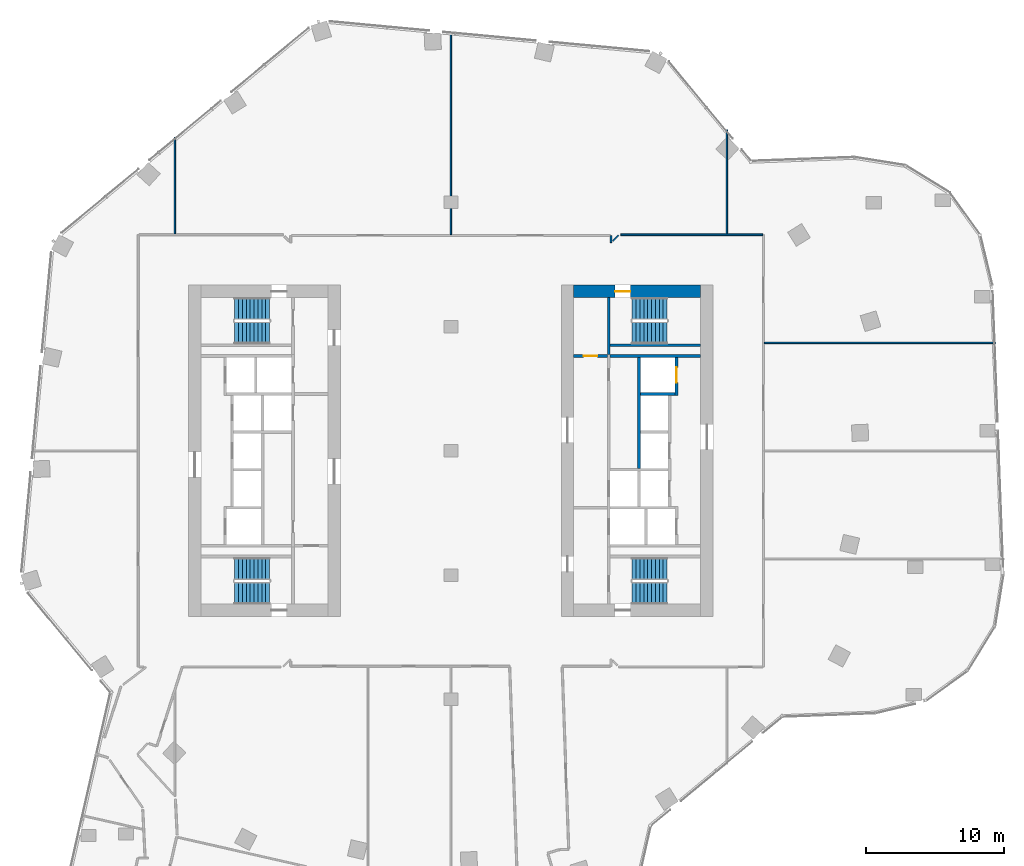
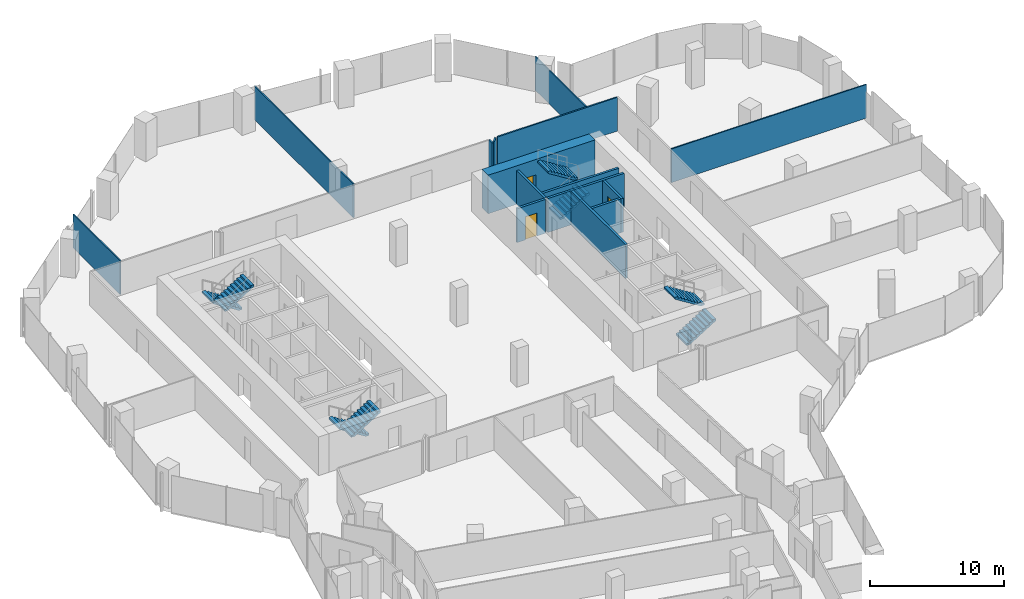
# One storey, part 22 of 23: 15 walls, 8 stair flights, 3 doors, 3 openings, 4 elements without a shape of their own.
"""IFC4 building model written with IfcOpenShell, lengths in metres."""

from ifc_helpers import new_model, si_unit, direction, frame, frame_2d, origin, place, context, subcontext, project, spatial, polyline, rectangle, outline, extrude, material, layer, layer_set, type_object, element, fill, aggregate, save


model = new_model("IFC4")

# Units and contexts
model_context = context("Model", 3, precision=1e-05, world=origin(), true_north=direction((0.0, 1.0)))
body_context = subcontext(model_context, "Body", "Model", "MODEL_VIEW")
ifc_project = project(units=[si_unit("LENGTHUNIT", "METRE"), si_unit("AREAUNIT", "SQUARE_METRE"), si_unit("VOLUMEUNIT", "CUBIC_METRE"), si_unit("PLANEANGLEUNIT", "RADIAN"), si_unit("MASSUNIT", "GRAM", prefix="KILO")], contexts=[model_context])

# Site, building, storey
site_placement = place(None, origin())
site = spatial("IfcSite", under=ifc_project, at=site_placement, CompositionType="ELEMENT")
building_placement = place(site_placement, origin())
building = spatial("IfcBuilding", under=site, at=building_placement, Name="Orlundy Tower", CompositionType="ELEMENT")
storey_placement = place(building_placement, frame((0.0, 0.0, 181.10009765625)))
storey = spatial("IfcBuildingStorey", under=building, at=storey_placement, Name="L47", CompositionType="ELEMENT", Elevation=181.10009765625)

# Wall, opening, door
ifc_material_1 = material(Name="Concrete C70/85", Category="concrete")
ifc_layer_1 = layer(ifc_material_1, 0.89990234375)
ifc_layer_set_1 = layer_set([ifc_layer_1], Name="CORE WALL 900 C70/85")
wall_type_1 = type_object("IfcWallType", Name="CORE WALL 900 C70/85", PredefinedType="SHEAR", material=ifc_layer_set_1)
wall_1_placement = place(storey_placement, frame((8.89990234375, 11.550048828125, 0.0), z_axis=(0.0, 0.0, 1.0), x_axis=(1.0, 0.0, 0.0)))
wall_1 = element("IfcWall", 1, at=wall_1_placement, inside=storey, type_object=wall_type_1, Name="Core wall E-N L47", PredefinedType="SHEAR", context=body_context, shape_type="SweptSolid", body=[
    extrude(rectangle(XDim=9.2001953125, YDim=0.89990234375, at=frame_2d((4.60009765625, 0.0))), origin(), (0.0, 0.0, 1.0), 3.5),
])
opening_1_placement = place(wall_1_placement, frame((3.0, 0.0, 0.0)))
opening_1 = element("IfcOpeningElement", 2, at=opening_1_placement, cuts=wall_1, Name="Opening 36061", PredefinedType="OPENING", context=body_context, shape_type="SweptSolid", body=[
    extrude(rectangle(XDim=1.10009765625, YDim=2.10009765625, at=frame_2d((0.550048828125, 1.050048828125))), frame((0.0, 0.4599609375, 0.0), z_axis=(0.0, -1.0, 0.0), x_axis=(1.0, 0.0, 0.0)), (0.0, 0.0, 1.0), 0.919921875),
])
ifc_material_2 = material(Name="Steel door set", Category="steel")
door_type_1 = type_object("IfcDoorType", Name="Stair Door 1100x2100", OperationType="SINGLE_SWING_LEFT", PredefinedType="DOOR", material=ifc_material_2)
door_1_placement = place(opening_1_placement, origin())
door_1 = element("IfcDoor", 3, at=door_1_placement, inside=storey, type_object=door_type_1, Name="Stair door 36061", OperationType="SINGLE_SWING_LEFT", OverallHeight=2.10009765625, OverallWidth=1.10009765625, PredefinedType="DOOR", context=body_context, shape_type="SweptSolid", body=[
    extrude(rectangle(XDim=1.10009765625, YDim=2.10009765625, at=frame_2d((0.550048828125, 1.050048828125))), frame((0.0, 0.02490234375, 0.0), z_axis=(0.0, -1.0, 0.0), x_axis=(1.0, 0.0, 0.0)), (0.0, 0.0, 1.0), 0.050048828125),
])
fill(opening_1, door_1)

# Walls
ifc_material_3 = material(Name="Gypsum board partition")
ifc_layer_2 = layer(ifc_material_3, 0.10009765625)
ifc_layer_set_2 = layer_set([ifc_layer_2], Name="Floor partition 100")
wall_type_2 = type_object("IfcWallType", Name="Floor partition 100", PredefinedType="PARTITIONING", material=ifc_layer_set_2)
wall_2_placement = place(storey_placement, frame((22.712890625, 7.824951171875, 0.0), z_axis=(0.0, 0.0, 1.0), x_axis=(1.0, 0.0, 0.0)))
element("IfcWall", 4, at=wall_2_placement, inside=storey, type_object=wall_type_2, Name="wall-int-L47-050", PredefinedType="PARTITIONING", context=body_context, shape_type="SweptSolid", body=[
    extrude(rectangle(XDim=16.77001953125, YDim=0.10009765625, at=frame_2d((8.385009765625, 0.0))), origin(), (0.0, 0.0, 1.0), 3.059814453125),
])
wall_3_placement = place(storey_placement, frame((20.0, 15.712890625, 0.0), z_axis=(0.0, 0.0, 1.0), x_axis=(0.0, 1.0, 0.0)))
element("IfcWall", 5, at=wall_3_placement, inside=storey, type_object=wall_type_2, Name="wall-int-L47-083", PredefinedType="PARTITIONING", context=body_context, shape_type="SweptSolid", body=[
    extrude(rectangle(XDim=7.55810546875, YDim=0.10009765625, at=frame_2d((3.779052734375, 0.0))), origin(), (0.0, 0.0, 1.0), 3.059814453125),
])
wall_4_placement = place(storey_placement, frame((0.0, 15.6640625, 0.0), z_axis=(0.0, 0.0, 1.0), x_axis=(0.0, 1.0, 0.0)))
element("IfcWall", 6, at=wall_4_placement, inside=storey, type_object=wall_type_2, Name="wall-int-L47-089", PredefinedType="PARTITIONING", context=body_context, shape_type="SweptSolid", body=[
    extrude(rectangle(XDim=14.718017578125, YDim=0.10009765625, at=frame_2d((7.35888671875, 0.0))), origin(), (0.0, 0.0, 1.0), 3.059814453125),
])
wall_5_placement = place(storey_placement, frame((-20.0, 15.712890625, 0.0), z_axis=(0.0, 0.0, 1.0), x_axis=(0.0, 1.0, 0.0)))
element("IfcWall", 7, at=wall_5_placement, inside=storey, type_object=wall_type_2, Name="wall-int-L47-094", PredefinedType="PARTITIONING", context=body_context, shape_type="SweptSolid", body=[
    extrude(rectangle(XDim=6.9990234375, YDim=0.10009765625, at=frame_2d((3.49951171875, 0.0))), origin(), (0.0, 0.0, 1.0), 3.059814453125),
])
ifc_material_4 = material(Name="Gypsum board partition, double layer")
ifc_layer_3 = layer(ifc_material_4, 0.125)
ifc_layer_set_3 = layer_set([ifc_layer_3], Name="Floor partition 125")
wall_type_3 = type_object("IfcWallType", Name="Floor partition 125", PredefinedType="PARTITIONING", material=ifc_layer_set_3)
wall_6_placement = place(storey_placement, frame((12.31103515625, 15.65087890625, 0.0), z_axis=(0.0, 0.0, 1.0), x_axis=(1.0, 0.0, 0.0)))
element("IfcWall", 8, at=wall_6_placement, inside=storey, type_object=wall_type_3, Name="wall-int-L47-053", PredefinedType="PARTITIONING", context=body_context, shape_type="SweptSolid", body=[
    extrude(rectangle(XDim=10.27587890625, YDim=0.125, at=frame_2d((5.137939453125, 0.0))), origin(), (0.0, 0.0, 1.0), 3.059814453125),
])
wall_7_placement = place(storey_placement, frame((11.72998046875, 15.20703125, 0.0), z_axis=(0.0, 0.0, 1.0), x_axis=(0.707310822952, 0.706902680526, 0.0)))
element("IfcWall", 9, at=wall_7_placement, inside=storey, type_object=wall_type_3, Name="wall-int-L47-060", PredefinedType="PARTITIONING", context=body_context, shape_type="SweptSolid", body=[
    extrude(rectangle(XDim=0.59814453125, YDim=0.125, at=frame_2d((0.299072265625, 0.0))), origin(), (0.0, 0.0, 1.0), 3.059814453125),
])
wall_8_placement = place(storey_placement, frame((11.60107421875, 15.092041015625, 0.0), z_axis=(0.0, 0.0, 1.0), x_axis=(0.0, 1.0, 0.0)))
element("IfcWall", 10, at=wall_8_placement, inside=storey, type_object=wall_type_3, Name="wall-int-L47-085", PredefinedType="PARTITIONING", context=body_context, shape_type="SweptSolid", body=[
    extrude(rectangle(XDim=0.508056640625, YDim=0.125, at=frame_2d((0.25390625, 0.0))), origin(), (0.0, 0.0, 1.0), 3.059814453125),
])
ifc_material_5 = material(Name="Concrete C40/50", Category="concrete")
ifc_layer_4 = layer(ifc_material_5, 0.199951171875)
ifc_layer_set_4 = layer_set([ifc_layer_4], Name="Load-bearing Shaft Wall 200")
wall_type_4 = type_object("IfcWallType", Name="Load-bearing Shaft Wall 200", PredefinedType="SOLIDWALL", material=ifc_layer_set_4)
wall_9_placement = place(storey_placement, frame((11.43994140625, 11.10009765625, 0.0), z_axis=(0.0, 0.0, 1.0), x_axis=(0.0, -1.0, 0.0)))
element("IfcWall", 11, at=wall_9_placement, inside=storey, type_object=wall_type_4, Name="Shaft wall E36-stair-end-s", PredefinedType="SOLIDWALL", context=body_context, shape_type="SweptSolid", body=[
    extrude(rectangle(XDim=4.125, YDim=0.199951171875, at=frame_2d((2.0625, 0.0))), origin(), (0.0, 0.0, 1.0), 3.079833984375),
])
wall_10_placement = place(storey_placement, frame((11.5400390625, 7.64990234375, 0.0), z_axis=(0.0, 0.0, 1.0), x_axis=(1.0, 0.0, 0.0)))
element("IfcWall", 12, at=wall_10_placement, inside=storey, type_object=wall_type_4, Name="Shaft wall E36-stair-side-s", PredefinedType="SOLIDWALL", context=body_context, shape_type="SweptSolid", body=[
    extrude(rectangle(XDim=6.56005859375, YDim=0.199951171875, at=frame_2d((3.280029296875, 0.0))), origin(), (0.0, 0.0, 1.0), 3.079833984375),
])

# Wall, opening, door
ifc_material_6 = material(Name="Gypsum board partition on steel studs", Category="steel")
ifc_layer_5 = layer(ifc_material_6, 0.199951171875)
ifc_layer_set_5 = layer_set([ifc_layer_5], Name="Partition 200")
wall_type_5 = type_object("IfcWallType", Name="Partition 200", PredefinedType="PARTITIONING", material=ifc_layer_set_5)
wall_11_placement = place(storey_placement, frame((8.89990234375, 6.875, 0.0), z_axis=(0.0, 0.0, 1.0), x_axis=(1.0, 0.0, 0.0)))
wall_11 = element("IfcWall", 13, at=wall_11_placement, inside=storey, type_object=wall_type_5, Name="Partition wall E36-end-s", PredefinedType="PARTITIONING", context=body_context, shape_type="SweptSolid", body=[
    extrude(rectangle(XDim=2.440185546875, YDim=0.199951171875, at=frame_2d((1.22021484375, 0.0))), origin(), (0.0, 0.0, 1.0), 3.079833984375),
])
opening_2_placement = place(wall_11_placement, frame((0.719970703125, 0.0, 0.0)))
opening_2 = element("IfcOpeningElement", 14, at=opening_2_placement, cuts=wall_11, Name="Opening 36063", PredefinedType="OPENING", context=body_context, shape_type="SweptSolid", body=[
    extrude(rectangle(XDim=1.0, YDim=2.10009765625, at=frame_2d((0.5, 1.050048828125))), frame((0.0, 0.110107421875, 0.0), z_axis=(0.0, -1.0, 0.0), x_axis=(1.0, 0.0, 0.0)), (0.0, 0.0, 1.0), 0.22021484375),
])
ifc_material_7 = material(Name="Timber door set", Category="wood")
door_type_2 = type_object("IfcDoorType", Name="Accessible Door 1000x2100", OperationType="SINGLE_SWING_LEFT", PredefinedType="DOOR", material=ifc_material_7)
door_2_placement = place(opening_2_placement, origin())
door_2 = element("IfcDoor", 15, at=door_2_placement, inside=storey, type_object=door_type_2, Name="Accessible WC door 36063", OperationType="SINGLE_SWING_RIGHT", OverallHeight=2.10009765625, OverallWidth=1.0, PredefinedType="DOOR", context=body_context, shape_type="SweptSolid", body=[
    extrude(rectangle(XDim=1.0, YDim=2.10009765625, at=frame_2d((0.5, 1.050048828125))), frame((0.0, 0.02490234375, 0.0), z_axis=(0.0, -1.0, 0.0), x_axis=(1.0, 0.0, 0.0)), (0.0, 0.0, 1.0), 0.050048828125),
])
fill(opening_2, door_2)

# Walls
ifc_material_8 = material(Name="Fire-rated blockwork shaft wall", Category="masonry")
ifc_layer_6 = layer(ifc_material_8, 0.199951171875)
ifc_layer_set_6 = layer_set([ifc_layer_6], Name="Shaft Wall 200")
wall_type_6 = type_object("IfcWallType", Name="Shaft Wall 200", PredefinedType="SOLIDWALL", material=ifc_layer_set_6)
wall_12_placement = place(storey_placement, frame((11.5400390625, 6.875, 0.0), z_axis=(0.0, 0.0, 1.0), x_axis=(1.0, 0.0, 0.0)))
element("IfcWall", 16, at=wall_12_placement, inside=storey, type_object=wall_type_6, Name="Shaft wall E36-zone-s", PredefinedType="SOLIDWALL", context=body_context, shape_type="SweptSolid", body=[
    extrude(rectangle(XDim=6.56005859375, YDim=0.199951171875, at=frame_2d((3.280029296875, 0.0))), origin(), (0.0, 0.0, 1.0), 3.079833984375),
])
wall_13_placement = place(storey_placement, frame((13.739990234375, 4.125, 0.0), z_axis=(0.0, 0.0, 1.0), x_axis=(1.0, 0.0, 0.0)))
element("IfcWall", 17, at=wall_13_placement, inside=storey, type_object=wall_type_6, Name="Shaft wall E36-cross-4.125", PredefinedType="SOLIDWALL", context=body_context, shape_type="SweptSolid", body=[
    extrude(rectangle(XDim=2.5, YDim=0.199951171875, at=frame_2d((1.25, 0.0))), origin(), (0.0, 0.0, 1.0), 3.079833984375),
])
wall_14_placement = place(storey_placement, frame((13.639892578125, 6.77490234375, 0.0), z_axis=(0.0, 0.0, 1.0), x_axis=(0.0, -1.0, 0.0)))
element("IfcWall", 18, at=wall_14_placement, inside=storey, type_object=wall_type_6, Name="Shaft wall E36-mid-a", PredefinedType="SOLIDWALL", context=body_context, shape_type="SweptSolid", body=[
    extrude(rectangle(XDim=8.0498046875, YDim=0.199951171875, at=frame_2d((4.02490234375, 0.0))), origin(), (0.0, 0.0, 1.0), 3.079833984375),
])

# Wall, opening, door
wall_15_placement = place(storey_placement, frame((16.340087890625, 6.77490234375, 0.0), z_axis=(0.0, 0.0, 1.0), x_axis=(0.0, -1.0, 0.0)))
wall_15 = element("IfcWall", 19, at=wall_15_placement, inside=storey, type_object=wall_type_6, Name="Shaft wall E36-front-o-a", PredefinedType="SOLIDWALL", context=body_context, shape_type="SweptSolid", body=[
    extrude(rectangle(XDim=2.75, YDim=0.199951171875, at=frame_2d((1.375, 0.0))), origin(), (0.0, 0.0, 1.0), 3.079833984375),
])
opening_3_placement = place(wall_15_placement, frame((0.72509765625, 0.0, 0.0)))
opening_3 = element("IfcOpeningElement", 20, at=opening_3_placement, cuts=wall_15, Name="Opening 36050", PredefinedType="OPENING", context=body_context, shape_type="SweptSolid", body=[
    extrude(rectangle(XDim=1.10009765625, YDim=2.10009765625, at=frame_2d((0.550048828125, 1.050048828125))), frame((0.0, 0.110107421875, 0.0), z_axis=(0.0, -1.0, 0.0), x_axis=(1.0, 0.0, 0.0)), (0.0, 0.0, 1.0), 0.22021484375),
])
ifc_material_9 = material(Name="Steel door set", Category="steel")
door_type_3 = type_object("IfcDoorType", Name="Landing Door 1100x2100", OperationType="DOUBLE_DOOR_SLIDING", PredefinedType="DOOR", material=ifc_material_9)
door_3_placement = place(opening_3_placement, origin())
door_3 = element("IfcDoor", 21, at=door_3_placement, inside=storey, type_object=door_type_3, Name="Lift landing door LV-02 36050", OperationType="DOUBLE_DOOR_SLIDING", OverallHeight=2.10009765625, OverallWidth=1.10009765625, PredefinedType="DOOR", context=body_context, shape_type="SweptSolid", body=[
    extrude(rectangle(XDim=1.10009765625, YDim=2.10009765625, at=frame_2d((0.550048828125, 1.050048828125))), frame((0.0, 0.02490234375, 0.0), z_axis=(0.0, -1.0, 0.0), x_axis=(1.0, 0.0, 0.0)), (0.0, 0.0, 1.0), 0.050048828125),
])
fill(opening_3, door_3)

# Stair, stair flights
ifc_material_10 = material(Name="Concrete C50/60", Category="concrete")
stair_type = type_object("IfcStairType", Name="Exit Stair 20 risers", PredefinedType="HALF_TURN_STAIR", material=ifc_material_10)
stair_1_placement = place(storey_placement, origin())
stair_1 = element("IfcStair", 22, at=stair_1_placement, inside=storey, type_object=stair_type, Name="L47 Exit Stair ST-W1", PredefinedType="HALF_TURN_STAIR")
ifc_material_11 = material(Name="Concrete C50/60", Category="concrete")
stair_flight_type = type_object("IfcStairFlightType", Name="Stair Flight 10 risers", PredefinedType="STRAIGHT", material=ifc_material_11)
stair_flight_1_placement = place(storey_placement, frame((-13.139892578125, 10.300048828125, 0.0), z_axis=(0.0, 0.0, 1.0), x_axis=(-1.0, 0.0, 0.0)))
stair_flight_1 = element("IfcStairFlight", 23, at=stair_flight_1_placement, type_object=stair_flight_type, Name="ST-W1 flight 1", NumberOfRisers=10, NumberOfTreads=9, PredefinedType="STRAIGHT", RiserHeight=0.175, TreadLength=0.28, context=body_context, shape_type="SweptSolid", body=[
    extrude(outline(polyline([(0.0, 0.0), (0.0, 0.175048828125), (0.280029296875, 0.175048828125), (0.280029296875, 0.35009765625), (0.56005859375, 0.35009765625), (0.56005859375, 0.52490234375), (0.840087890625, 0.52490234375), (0.840087890625, 0.699951171875), (1.1201171875, 0.699951171875), (1.1201171875, 0.875), (1.39990234375, 0.875), (1.39990234375, 1.050048828125), (1.679931640625, 1.050048828125), (1.679931640625, 1.22509765625), (1.9599609375, 1.22509765625), (1.9599609375, 1.39990234375), (2.239990234375, 1.39990234375), (2.239990234375, 1.574951171875), (2.52001953125, 1.574951171875), (2.52001953125, 1.75), (2.52001953125, 1.398193359375), (0.28271484375, 0.0), (0.0, 0.0)])), frame((0.0, 0.800048828125, 0.0), z_axis=(0.0, -1.0, 0.0), x_axis=(1.0, 0.0, 0.0)), (0.0, 0.0, 1.0), 1.60009765625),
])
stair_flight_2_placement = place(storey_placement, frame((-15.659912109375, 8.550048828125, 1.75), z_axis=(0.0, 0.0, 1.0), x_axis=(1.0, 0.0, 0.0)))
stair_flight_2 = element("IfcStairFlight", 24, at=stair_flight_2_placement, type_object=stair_flight_type, Name="ST-W1 flight 2", NumberOfRisers=10, NumberOfTreads=9, PredefinedType="STRAIGHT", RiserHeight=0.175, TreadLength=0.28, context=body_context, shape_type="SweptSolid", body=[
    extrude(outline(polyline([(0.0, 0.0), (0.0, 0.175048828125), (0.280029296875, 0.175048828125), (0.280029296875, 0.35009765625), (0.56005859375, 0.35009765625), (0.56005859375, 0.52490234375), (0.840087890625, 0.52490234375), (0.840087890625, 0.699951171875), (1.1201171875, 0.699951171875), (1.1201171875, 0.875), (1.39990234375, 0.875), (1.39990234375, 1.050048828125), (1.679931640625, 1.050048828125), (1.679931640625, 1.22509765625), (1.9599609375, 1.22509765625), (1.9599609375, 1.39990234375), (2.239990234375, 1.39990234375), (2.239990234375, 1.574951171875), (2.52001953125, 1.574951171875), (2.52001953125, 1.75), (2.52001953125, 1.398193359375), (0.28271484375, 0.0), (0.0, 0.0)])), frame((0.0, 0.800048828125, 0.0), z_axis=(0.0, -1.0, 0.0), x_axis=(1.0, 0.0, 0.0)), (0.0, 0.0, 1.0), 1.60009765625),
])
aggregate(stair_1, [stair_flight_1, stair_flight_2])

stair_2_placement = place(storey_placement, origin())
stair_2 = element("IfcStair", 25, at=stair_2_placement, inside=storey, type_object=stair_type, Name="L47 Exit Stair ST-W2", PredefinedType="HALF_TURN_STAIR")
stair_flight_3_placement = place(storey_placement, frame((-13.139892578125, -8.550048828125, 0.0), z_axis=(0.0, 0.0, 1.0), x_axis=(-1.0, 0.0, 0.0)))
stair_flight_3 = element("IfcStairFlight", 26, at=stair_flight_3_placement, type_object=stair_flight_type, Name="ST-W2 flight 1", NumberOfRisers=10, NumberOfTreads=9, PredefinedType="STRAIGHT", RiserHeight=0.175, TreadLength=0.28, context=body_context, shape_type="SweptSolid", body=[
    extrude(outline(polyline([(0.0, 0.0), (0.0, 0.175048828125), (0.280029296875, 0.175048828125), (0.280029296875, 0.35009765625), (0.56005859375, 0.35009765625), (0.56005859375, 0.52490234375), (0.840087890625, 0.52490234375), (0.840087890625, 0.699951171875), (1.1201171875, 0.699951171875), (1.1201171875, 0.875), (1.39990234375, 0.875), (1.39990234375, 1.050048828125), (1.679931640625, 1.050048828125), (1.679931640625, 1.22509765625), (1.9599609375, 1.22509765625), (1.9599609375, 1.39990234375), (2.239990234375, 1.39990234375), (2.239990234375, 1.574951171875), (2.52001953125, 1.574951171875), (2.52001953125, 1.75), (2.52001953125, 1.398193359375), (0.28271484375, 0.0), (0.0, 0.0)])), frame((0.0, 0.800048828125, 0.0), z_axis=(0.0, -1.0, 0.0), x_axis=(1.0, 0.0, 0.0)), (0.0, 0.0, 1.0), 1.60009765625),
])
stair_flight_4_placement = place(storey_placement, frame((-15.659912109375, -10.300048828125, 1.75), z_axis=(0.0, 0.0, 1.0), x_axis=(1.0, 0.0, 0.0)))
stair_flight_4 = element("IfcStairFlight", 27, at=stair_flight_4_placement, type_object=stair_flight_type, Name="ST-W2 flight 2", NumberOfRisers=10, NumberOfTreads=9, PredefinedType="STRAIGHT", RiserHeight=0.175, TreadLength=0.28, context=body_context, shape_type="SweptSolid", body=[
    extrude(outline(polyline([(0.0, 0.0), (0.0, 0.175048828125), (0.280029296875, 0.175048828125), (0.280029296875, 0.35009765625), (0.56005859375, 0.35009765625), (0.56005859375, 0.52490234375), (0.840087890625, 0.52490234375), (0.840087890625, 0.699951171875), (1.1201171875, 0.699951171875), (1.1201171875, 0.875), (1.39990234375, 0.875), (1.39990234375, 1.050048828125), (1.679931640625, 1.050048828125), (1.679931640625, 1.22509765625), (1.9599609375, 1.22509765625), (1.9599609375, 1.39990234375), (2.239990234375, 1.39990234375), (2.239990234375, 1.574951171875), (2.52001953125, 1.574951171875), (2.52001953125, 1.75), (2.52001953125, 1.398193359375), (0.28271484375, 0.0), (0.0, 0.0)])), frame((0.0, 0.800048828125, 0.0), z_axis=(0.0, -1.0, 0.0), x_axis=(1.0, 0.0, 0.0)), (0.0, 0.0, 1.0), 1.60009765625),
])
aggregate(stair_2, [stair_flight_3, stair_flight_4])

stair_3_placement = place(storey_placement, origin())
stair_3 = element("IfcStair", 28, at=stair_3_placement, inside=storey, type_object=stair_type, Name="L47 Exit Stair ST-E1", PredefinedType="HALF_TURN_STAIR")
stair_flight_5_placement = place(storey_placement, frame((13.139892578125, -10.300048828125, 0.0), z_axis=(0.0, 0.0, 1.0), x_axis=(1.0, 0.0, 0.0)))
stair_flight_5 = element("IfcStairFlight", 29, at=stair_flight_5_placement, type_object=stair_flight_type, Name="ST-E1 flight 1", NumberOfRisers=10, NumberOfTreads=9, PredefinedType="STRAIGHT", RiserHeight=0.175, TreadLength=0.28, context=body_context, shape_type="SweptSolid", body=[
    extrude(outline(polyline([(0.0, 0.0), (0.0, 0.175048828125), (0.280029296875, 0.175048828125), (0.280029296875, 0.35009765625), (0.56005859375, 0.35009765625), (0.56005859375, 0.52490234375), (0.840087890625, 0.52490234375), (0.840087890625, 0.699951171875), (1.1201171875, 0.699951171875), (1.1201171875, 0.875), (1.39990234375, 0.875), (1.39990234375, 1.050048828125), (1.679931640625, 1.050048828125), (1.679931640625, 1.22509765625), (1.9599609375, 1.22509765625), (1.9599609375, 1.39990234375), (2.239990234375, 1.39990234375), (2.239990234375, 1.574951171875), (2.52001953125, 1.574951171875), (2.52001953125, 1.75), (2.52001953125, 1.398193359375), (0.28271484375, 0.0), (0.0, 0.0)])), frame((0.0, 0.800048828125, 0.0), z_axis=(0.0, -1.0, 0.0), x_axis=(1.0, 0.0, 0.0)), (0.0, 0.0, 1.0), 1.60009765625),
])
stair_flight_6_placement = place(storey_placement, frame((15.659912109375, -8.550048828125, 1.75), z_axis=(0.0, 0.0, 1.0), x_axis=(-1.0, 0.0, 0.0)))
stair_flight_6 = element("IfcStairFlight", 30, at=stair_flight_6_placement, type_object=stair_flight_type, Name="ST-E1 flight 2", NumberOfRisers=10, NumberOfTreads=9, PredefinedType="STRAIGHT", RiserHeight=0.175, TreadLength=0.28, context=body_context, shape_type="SweptSolid", body=[
    extrude(outline(polyline([(0.0, 0.0), (0.0, 0.175048828125), (0.280029296875, 0.175048828125), (0.280029296875, 0.35009765625), (0.56005859375, 0.35009765625), (0.56005859375, 0.52490234375), (0.840087890625, 0.52490234375), (0.840087890625, 0.699951171875), (1.1201171875, 0.699951171875), (1.1201171875, 0.875), (1.39990234375, 0.875), (1.39990234375, 1.050048828125), (1.679931640625, 1.050048828125), (1.679931640625, 1.22509765625), (1.9599609375, 1.22509765625), (1.9599609375, 1.39990234375), (2.239990234375, 1.39990234375), (2.239990234375, 1.574951171875), (2.52001953125, 1.574951171875), (2.52001953125, 1.75), (2.52001953125, 1.398193359375), (0.28271484375, 0.0), (0.0, 0.0)])), frame((0.0, 0.800048828125, 0.0), z_axis=(0.0, -1.0, 0.0), x_axis=(1.0, 0.0, 0.0)), (0.0, 0.0, 1.0), 1.60009765625),
])
aggregate(stair_3, [stair_flight_5, stair_flight_6])

stair_4_placement = place(storey_placement, origin())
stair_4 = element("IfcStair", 31, at=stair_4_placement, inside=storey, type_object=stair_type, Name="L47 Exit Stair ST-E2", PredefinedType="HALF_TURN_STAIR")
stair_flight_7_placement = place(storey_placement, frame((13.139892578125, 8.550048828125, 0.0), z_axis=(0.0, 0.0, 1.0), x_axis=(1.0, 0.0, 0.0)))
stair_flight_7 = element("IfcStairFlight", 32, at=stair_flight_7_placement, type_object=stair_flight_type, Name="ST-E2 flight 1", NumberOfRisers=10, NumberOfTreads=9, PredefinedType="STRAIGHT", RiserHeight=0.175, TreadLength=0.28, context=body_context, shape_type="SweptSolid", body=[
    extrude(outline(polyline([(0.0, 0.0), (0.0, 0.175048828125), (0.280029296875, 0.175048828125), (0.280029296875, 0.35009765625), (0.56005859375, 0.35009765625), (0.56005859375, 0.52490234375), (0.840087890625, 0.52490234375), (0.840087890625, 0.699951171875), (1.1201171875, 0.699951171875), (1.1201171875, 0.875), (1.39990234375, 0.875), (1.39990234375, 1.050048828125), (1.679931640625, 1.050048828125), (1.679931640625, 1.22509765625), (1.9599609375, 1.22509765625), (1.9599609375, 1.39990234375), (2.239990234375, 1.39990234375), (2.239990234375, 1.574951171875), (2.52001953125, 1.574951171875), (2.52001953125, 1.75), (2.52001953125, 1.398193359375), (0.28271484375, 0.0), (0.0, 0.0)])), frame((0.0, 0.800048828125, 0.0), z_axis=(0.0, -1.0, 0.0), x_axis=(1.0, 0.0, 0.0)), (0.0, 0.0, 1.0), 1.60009765625),
])
stair_flight_8_placement = place(storey_placement, frame((15.659912109375, 10.300048828125, 1.75), z_axis=(0.0, 0.0, 1.0), x_axis=(-1.0, 0.0, 0.0)))
stair_flight_8 = element("IfcStairFlight", 33, at=stair_flight_8_placement, type_object=stair_flight_type, Name="ST-E2 flight 2", NumberOfRisers=10, NumberOfTreads=9, PredefinedType="STRAIGHT", RiserHeight=0.175, TreadLength=0.28, context=body_context, shape_type="SweptSolid", body=[
    extrude(outline(polyline([(0.0, 0.0), (0.0, 0.175048828125), (0.280029296875, 0.175048828125), (0.280029296875, 0.35009765625), (0.56005859375, 0.35009765625), (0.56005859375, 0.52490234375), (0.840087890625, 0.52490234375), (0.840087890625, 0.699951171875), (1.1201171875, 0.699951171875), (1.1201171875, 0.875), (1.39990234375, 0.875), (1.39990234375, 1.050048828125), (1.679931640625, 1.050048828125), (1.679931640625, 1.22509765625), (1.9599609375, 1.22509765625), (1.9599609375, 1.39990234375), (2.239990234375, 1.39990234375), (2.239990234375, 1.574951171875), (2.52001953125, 1.574951171875), (2.52001953125, 1.75), (2.52001953125, 1.398193359375), (0.28271484375, 0.0), (0.0, 0.0)])), frame((0.0, 0.800048828125, 0.0), z_axis=(0.0, -1.0, 0.0), x_axis=(1.0, 0.0, 0.0)), (0.0, 0.0, 1.0), 1.60009765625),
])
aggregate(stair_4, [stair_flight_7, stair_flight_8])

save(model, "model.ifc")
